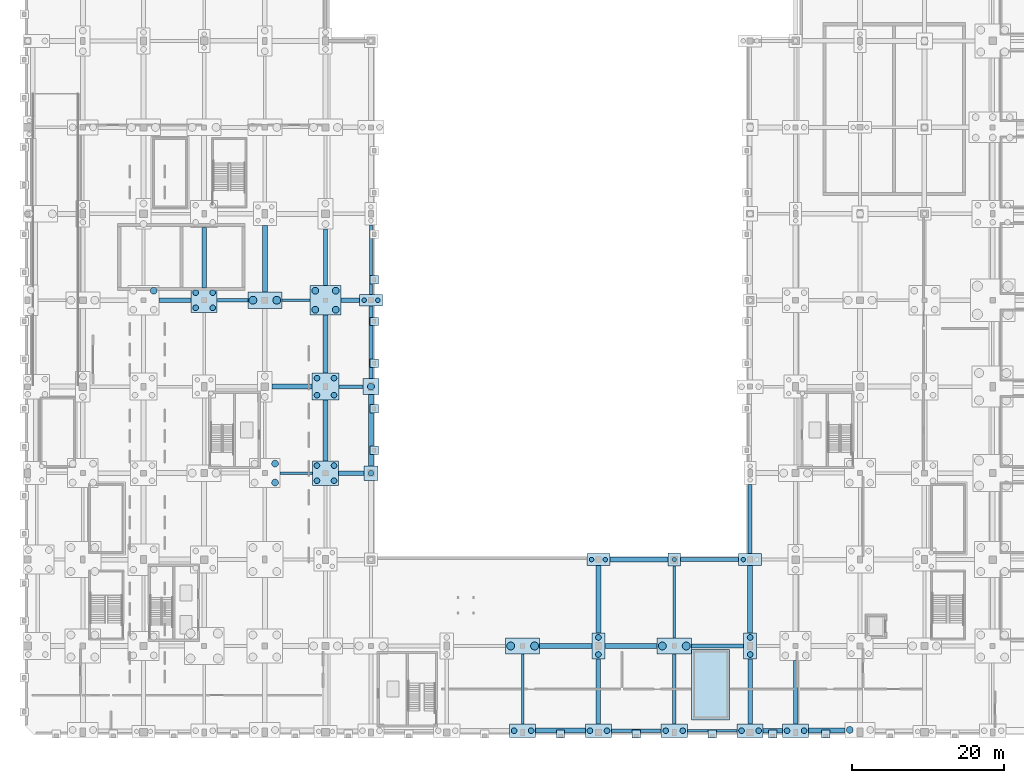
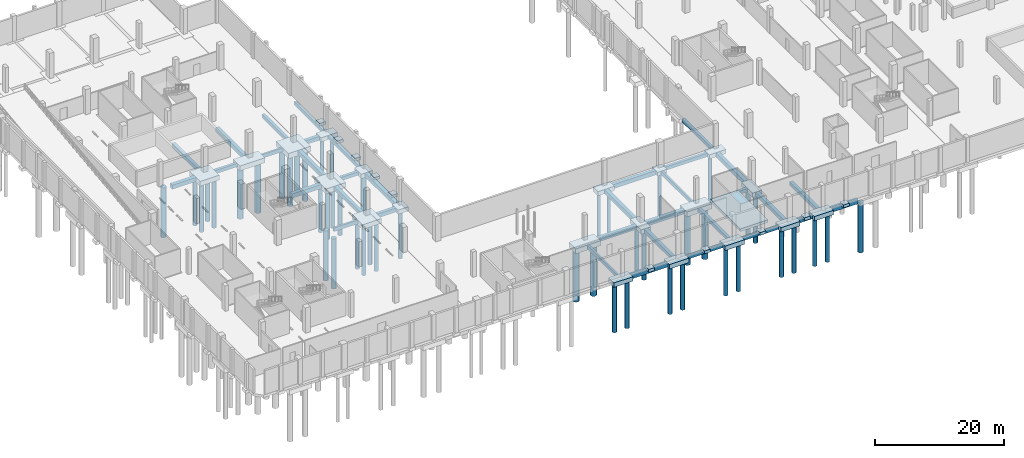
# One storey, part 3 of 34: 66 footings, 48 piles.
"""IFC4 building model written with IfcOpenShell, lengths in metres."""

from ifc_helpers import new_model, si_unit, direction, frame, origin, origin_2d, place, context, subcontext, project, spatial, rectangle, circle, extrude, material, material_profile, profile_set, type_object, element, save


model = new_model("IFC4")

# Units and contexts
model_context = context("Model", 3, precision=1e-05, world=origin(), true_north=direction((0.0, 1.0)))
body_context = subcontext(model_context, "Body", "Model", "MODEL_VIEW")
ifc_project = project(units=[si_unit("LENGTHUNIT", "METRE"), si_unit("AREAUNIT", "SQUARE_METRE"), si_unit("VOLUMEUNIT", "CUBIC_METRE"), si_unit("PLANEANGLEUNIT", "RADIAN"), si_unit("MASSUNIT", "GRAM", prefix="KILO"), si_unit("POWERUNIT", "WATT"), si_unit("THERMODYNAMICTEMPERATUREUNIT", "KELVIN")], contexts=[model_context])

# Site, building, storey
site_placement = place(None, origin())
site = spatial("IfcSite", under=ifc_project, at=site_placement, CompositionType="ELEMENT")
building_placement = place(site_placement, origin())
building = spatial("IfcBuilding", under=site, at=building_placement, Name="Kelmbourne Parkland Aquatics Centre", CompositionType="ELEMENT")
storey_placement = place(building_placement, frame((0.0, 0.0, -4.800048828125)))
storey = spatial("IfcBuildingStorey", under=building, at=storey_placement, Name="B1", CompositionType="ELEMENT", Elevation=-4.800048828125)

# Footings
ifc_material = material(Name="Waterproof concrete C50/60", Category="concrete")
footing_type_1 = type_object("IfcFootingType", Name="FT-FB1", PredefinedType="FOOTING_BEAM", material=ifc_material)
footing_1_placement = place(storey_placement, frame((81.0, 1.02490234375, -1.099853515625), z_axis=(0.0, 0.0, 1.0), x_axis=(1.0, 0.0, 0.0)))
element("IfcFooting", 1, at=footing_1_placement, inside=storey, type_object=footing_type_1, Name="Ground tie beam J-K on Grid 01", PredefinedType="FOOTING_BEAM", context=body_context, shape_type="SweptSolid", body=[
    extrude(rectangle(XDim=6.550048828125, YDim=0.5, at=origin_2d()), origin(), (0.0, 0.0, 1.0), 0.64990234375),
])
footing_2_placement = place(storey_placement, frame((91.6875, 12.199951171875, -1.099853515625), z_axis=(0.0, 0.0, 1.0), x_axis=(1.0, 0.0, 0.0)))
element("IfcFooting", 2, at=footing_2_placement, inside=storey, type_object=footing_type_1, Name="Ground tie beam K-L on Grid 03", PredefinedType="FOOTING_BEAM", context=body_context, shape_type="SweptSolid", body=[
    extrude(rectangle(XDim=6.875, YDim=0.5, at=origin_2d()), origin(), (0.0, 0.0, 1.0), 0.64990234375),
])
footing_3_placement = place(storey_placement, frame((90.675048828125, 23.60009765625, -1.099853515625), z_axis=(0.0, 0.0, 1.0), x_axis=(1.0, 0.0, 0.0)))
element("IfcFooting", 3, at=footing_3_placement, inside=storey, type_object=footing_type_1, Name="Ground tie beam K-L on Grid 04", PredefinedType="FOOTING_BEAM", context=body_context, shape_type="SweptSolid", body=[
    extrude(rectangle(XDim=7.64990234375, YDim=0.5, at=origin_2d()), origin(), (0.0, 0.0, 1.0), 0.64990234375),
])
footing_4_placement = place(storey_placement, frame((43.362548828125, 46.39990234375, -1.099853515625), z_axis=(0.0, 0.0, 1.0), x_axis=(1.0, 0.0, 0.0)))
element("IfcFooting", 4, at=footing_4_placement, inside=storey, type_object=footing_type_1, Name="Ground tie beam F-G on Grid 06", PredefinedType="FOOTING_BEAM", context=body_context, shape_type="SweptSolid", body=[
    extrude(rectangle(XDim=3.175048828125, YDim=0.5, at=origin_2d()), origin(), (0.0, 0.0, 1.0), 0.64990234375),
])
footing_5_placement = place(storey_placement, frame((27.737548828125, 57.800048828125, -1.099853515625), z_axis=(0.0, 0.0, 1.0), x_axis=(1.0, 0.0, 0.0)))
element("IfcFooting", 5, at=footing_5_placement, inside=storey, type_object=footing_type_1, Name="Ground tie beam D-E on Grid 08", PredefinedType="FOOTING_BEAM", context=body_context, shape_type="SweptSolid", body=[
    extrude(rectangle(XDim=4.02490234375, YDim=0.5, at=origin_2d()), origin(), (0.0, 0.0, 1.0), 0.64990234375),
])
footing_6_placement = place(storey_placement, frame((40.0, 63.46240234375, -1.099853515625), z_axis=(0.0, 0.0, 1.0), x_axis=(0.0, 1.0, 0.0)))
element("IfcFooting", 6, at=footing_6_placement, inside=storey, type_object=footing_type_1, Name="Ground tie beam 08-10 on Grid F", PredefinedType="FOOTING_BEAM", context=body_context, shape_type="SweptSolid", body=[
    extrude(rectangle(XDim=7.47509765625, YDim=0.5, at=origin_2d()), origin(), (0.0, 0.0, 1.0), 0.64990234375),
])
footing_7_placement = place(storey_placement, frame((46.0, 52.237548828125, -1.099853515625), z_axis=(0.0, 0.0, 1.0), x_axis=(0.0, 1.0, 0.0)))
element("IfcFooting", 7, at=footing_7_placement, inside=storey, type_object=footing_type_1, Name="Ground tie beam 06-08 on Grid G", PredefinedType="FOOTING_BEAM", context=body_context, shape_type="SweptSolid", body=[
    extrude(rectangle(XDim=9.574951171875, YDim=0.5, at=origin_2d()), origin(), (0.0, 0.0, 1.0), 0.64990234375),
])
footing_8_placement = place(storey_placement, frame((86.0, 6.512451171875, -1.099853515625), z_axis=(0.0, 0.0, 1.0), x_axis=(0.0, 1.0, 0.0)))
element("IfcFooting", 8, at=footing_8_placement, inside=storey, type_object=footing_type_1, Name="Ground tie beam 01-03 on Grid K", PredefinedType="FOOTING_BEAM", context=body_context, shape_type="SweptSolid", body=[
    extrude(rectangle(XDim=9.22509765625, YDim=0.5, at=origin_2d()), origin(), (0.0, 0.0, 1.0), 0.64990234375),
])
footing_9_placement = place(storey_placement, frame((96.0, 28.9375, -1.099853515625), z_axis=(0.0, 0.0, 1.0), x_axis=(0.0, 1.0, 0.0)))
element("IfcFooting", 9, at=footing_9_placement, inside=storey, type_object=footing_type_1, Name="Ground tie beam 04-05 on Grid L", PredefinedType="FOOTING_BEAM", context=body_context, shape_type="SweptSolid", body=[
    extrude(rectangle(XDim=9.125, YDim=0.5, at=origin_2d()), origin(), (0.0, 0.0, 1.0), 0.64990234375),
])
footing_type_2 = type_object("IfcFootingType", Name="FT-FB2", PredefinedType="FOOTING_BEAM", material=ifc_material)
footing_10_placement = place(storey_placement, frame((91.0, 1.02490234375, -1.14990234375), z_axis=(0.0, 0.0, 1.0), x_axis=(1.0, 0.0, 0.0)))
element("IfcFooting", 10, at=footing_10_placement, inside=storey, type_object=footing_type_2, Name="Ground tie beam K-L on Grid 01", PredefinedType="FOOTING_BEAM", context=body_context, shape_type="SweptSolid", body=[
    extrude(rectangle(XDim=6.550048828125, YDim=0.35009765625, at=origin_2d()), origin(), (0.0, 0.0, 1.0), 0.699951171875),
])
footing_11_placement = place(storey_placement, frame((36.14990234375, 35.0, -1.14990234375), z_axis=(0.0, 0.0, 1.0), x_axis=(1.0, 0.0, 0.0)))
element("IfcFooting", 11, at=footing_11_placement, inside=storey, type_object=footing_type_2, Name="Ground tie beam E-F on Grid 05", PredefinedType="FOOTING_BEAM", context=body_context, shape_type="SweptSolid", body=[
    extrude(rectangle(XDim=4.25, YDim=0.35009765625, at=origin_2d()), origin(), (0.0, 0.0, 1.0), 0.699951171875),
])
footing_12_placement = place(storey_placement, frame((36.112548828125, 57.800048828125, -1.14990234375), z_axis=(0.0, 0.0, 1.0), x_axis=(1.0, 0.0, 0.0)))
element("IfcFooting", 12, at=footing_12_placement, inside=storey, type_object=footing_type_2, Name="Ground tie beam E-F on Grid 08", PredefinedType="FOOTING_BEAM", context=body_context, shape_type="SweptSolid", body=[
    extrude(rectangle(XDim=3.72509765625, YDim=0.35009765625, at=origin_2d()), origin(), (0.0, 0.0, 1.0), 0.699951171875),
])
footing_13_placement = place(storey_placement, frame((46.0, 63.137451171875, -1.14990234375), z_axis=(0.0, 0.0, 1.0), x_axis=(0.0, 1.0, 0.0)))
element("IfcFooting", 13, at=footing_13_placement, inside=storey, type_object=footing_type_2, Name="Ground tie beam 08-10 on Grid G", PredefinedType="FOOTING_BEAM", context=body_context, shape_type="SweptSolid", body=[
    extrude(rectangle(XDim=9.125, YDim=0.35009765625, at=origin_2d()), origin(), (0.0, 0.0, 1.0), 0.699951171875),
])
footing_14_placement = place(storey_placement, frame((66.0, 6.512451171875, -1.14990234375), z_axis=(0.0, 0.0, 1.0), x_axis=(0.0, 1.0, 0.0)))
element("IfcFooting", 14, at=footing_14_placement, inside=storey, type_object=footing_type_2, Name="Ground tie beam 01-03 on Grid I", PredefinedType="FOOTING_BEAM", context=body_context, shape_type="SweptSolid", body=[
    extrude(rectangle(XDim=9.22509765625, YDim=0.35009765625, at=origin_2d()), origin(), (0.0, 0.0, 1.0), 0.699951171875),
])
footing_15_placement = place(storey_placement, frame((86.0, 18.012451171875, -1.14990234375), z_axis=(0.0, 0.0, 1.0), x_axis=(0.0, 1.0, 0.0)))
element("IfcFooting", 15, at=footing_15_placement, inside=storey, type_object=footing_type_2, Name="Ground tie beam 03-04 on Grid K", PredefinedType="FOOTING_BEAM", context=body_context, shape_type="SweptSolid", body=[
    extrude(rectangle(XDim=9.47509765625, YDim=0.35009765625, at=origin_2d()), origin(), (0.0, 0.0, 1.0), 0.699951171875),
])
footing_type_3 = type_object("IfcFootingType", Name="FT-FB3", PredefinedType="FOOTING_BEAM", material=ifc_material)
footing_16_placement = place(storey_placement, frame((99.0, 1.02490234375, -1.199951171875), z_axis=(0.0, 0.0, 1.0), x_axis=(1.0, 0.0, 0.0)))
element("IfcFooting", 16, at=footing_16_placement, inside=storey, type_object=footing_type_3, Name="Ground tie beam L-M on Grid 01", PredefinedType="FOOTING_BEAM", context=body_context, shape_type="SweptSolid", body=[
    extrude(rectangle(XDim=2.550048828125, YDim=0.60009765625, at=origin_2d()), origin(), (0.0, 0.0, 1.0), 0.75),
])
footing_17_placement = place(storey_placement, frame((71.6875, 12.199951171875, -1.199951171875), z_axis=(0.0, 0.0, 1.0), x_axis=(1.0, 0.0, 0.0)))
element("IfcFooting", 17, at=footing_17_placement, inside=storey, type_object=footing_type_3, Name="Ground tie beam I-J on Grid 03", PredefinedType="FOOTING_BEAM", context=body_context, shape_type="SweptSolid", body=[
    extrude(rectangle(XDim=6.875, YDim=0.60009765625, at=origin_2d()), origin(), (0.0, 0.0, 1.0), 0.75),
])
footing_18_placement = place(storey_placement, frame((43.387451171875, 35.0, -1.199951171875), z_axis=(0.0, 0.0, 1.0), x_axis=(1.0, 0.0, 0.0)))
element("IfcFooting", 18, at=footing_18_placement, inside=storey, type_object=footing_type_3, Name="Ground tie beam F-G on Grid 05", PredefinedType="FOOTING_BEAM", context=body_context, shape_type="SweptSolid", body=[
    extrude(rectangle(XDim=3.324951171875, YDim=0.60009765625, at=origin_2d()), origin(), (0.0, 0.0, 1.0), 0.75),
])
footing_19_placement = place(storey_placement, frame((43.262451171875, 57.800048828125, -1.199951171875), z_axis=(0.0, 0.0, 1.0), x_axis=(1.0, 0.0, 0.0)))
element("IfcFooting", 19, at=footing_19_placement, inside=storey, type_object=footing_type_3, Name="Ground tie beam F-G on Grid 08", PredefinedType="FOOTING_BEAM", context=body_context, shape_type="SweptSolid", body=[
    extrude(rectangle(XDim=2.47509765625, YDim=0.60009765625, at=origin_2d()), origin(), (0.0, 0.0, 1.0), 0.75),
])
for number, where, z_axis, x_axis, name in (
    (20, (24.0, 63.425048828125, -1.199951171875), (0.0, 0.0, 1.0), (0.0, 1.0, 0.0), "Ground tie beam 08-10 on Grid D"),
    (21, (40.0, 40.625, -1.199951171875), (0.0, 0.0, 1.0), (0.0, 1.0, 0.0), "Ground tie beam 05-06 on Grid F"),
):
    element("IfcFooting", number, at=place(storey_placement, frame(where, z_axis=z_axis, x_axis=x_axis)), inside=storey, type_object=footing_type_3, Name=name, PredefinedType="FOOTING_BEAM", context=body_context, shape_type="SweptSolid", body=[
        extrude(rectangle(XDim=8.0, YDim=0.60009765625, at=origin_2d()), origin(), (0.0, 0.0, 1.0), 0.75),
    ])
for number, where, z_axis, x_axis, name in (
    (22, (76.0, 6.1875, -1.199951171875), (0.0, 0.0, 1.0), (0.0, 1.0, 0.0), "Ground tie beam 01-03 on Grid J"),
    (23, (96.0, 6.1875, -1.199951171875), (0.0, 0.0, 1.0), (0.0, 1.0, 0.0), "Ground tie beam 01-03 on Grid L"),
):
    element("IfcFooting", number, at=place(storey_placement, frame(where, z_axis=z_axis, x_axis=x_axis)), inside=storey, type_object=footing_type_3, Name=name, PredefinedType="FOOTING_BEAM", context=body_context, shape_type="SweptSolid", body=[
        extrude(rectangle(XDim=8.574951171875, YDim=0.60009765625, at=origin_2d()), origin(), (0.0, 0.0, 1.0), 0.75),
    ])
footing_20_placement = place(storey_placement, frame((102.0, 6.08740234375, -1.199951171875), z_axis=(0.0, 0.0, 1.0), x_axis=(0.0, 1.0, 0.0)))
element("IfcFooting", 24, at=footing_20_placement, inside=storey, type_object=footing_type_3, Name="Ground tie beam 01-03 on Grid M", PredefinedType="FOOTING_BEAM", context=body_context, shape_type="SweptSolid", body=[
    extrude(rectangle(XDim=8.375, YDim=0.60009765625, at=origin_2d()), origin(), (0.0, 0.0, 1.0), 0.75),
])
footing_type_4 = type_object("IfcFootingType", Name="FT-FB4", PredefinedType="FOOTING_BEAM", material=ifc_material)
footing_21_placement = place(storey_placement, frame((71.0, 1.02490234375, -1.25), z_axis=(0.0, 0.0, 1.0), x_axis=(1.0, 0.0, 0.0)))
element("IfcFooting", 25, at=footing_21_placement, inside=storey, type_object=footing_type_4, Name="Ground tie beam I-J on Grid 01", PredefinedType="FOOTING_BEAM", context=body_context, shape_type="SweptSolid", body=[
    extrude(rectangle(XDim=6.550048828125, YDim=0.64990234375, at=origin_2d()), origin(), (0.0, 0.0, 1.0), 0.800048828125),
])
footing_22_placement = place(storey_placement, frame((106.112548828125, 1.074951171875, -1.25), z_axis=(0.0, 0.0, 1.0), x_axis=(1.0, 0.0, 0.0)))
element("IfcFooting", 26, at=footing_22_placement, inside=storey, type_object=footing_type_4, Name="Ground tie beam M-N on Grid 01", PredefinedType="FOOTING_BEAM", context=body_context, shape_type="SweptSolid", body=[
    extrude(rectangle(XDim=4.77490234375, YDim=0.64990234375, at=origin_2d()), origin(), (0.0, 0.0, 1.0), 0.800048828125),
])
footing_23_placement = place(storey_placement, frame((80.3125, 12.199951171875, -1.25), z_axis=(0.0, 0.0, 1.0), x_axis=(1.0, 0.0, 0.0)))
element("IfcFooting", 27, at=footing_23_placement, inside=storey, type_object=footing_type_4, Name="Ground tie beam J-K on Grid 03", PredefinedType="FOOTING_BEAM", context=body_context, shape_type="SweptSolid", body=[
    extrude(rectangle(XDim=6.875, YDim=0.64990234375, at=origin_2d()), origin(), (0.0, 0.0, 1.0), 0.800048828125),
])
footing_24_placement = place(storey_placement, frame((81.324951171875, 23.60009765625, -1.25), z_axis=(0.0, 0.0, 1.0), x_axis=(1.0, 0.0, 0.0)))
element("IfcFooting", 28, at=footing_24_placement, inside=storey, type_object=footing_type_4, Name="Ground tie beam J-K on Grid 04", PredefinedType="FOOTING_BEAM", context=body_context, shape_type="SweptSolid", body=[
    extrude(rectangle(XDim=7.64990234375, YDim=0.64990234375, at=origin_2d()), origin(), (0.0, 0.0, 1.0), 0.800048828125),
])
footing_25_placement = place(storey_placement, frame((35.60009765625, 46.39990234375, -1.25), z_axis=(0.0, 0.0, 1.0), x_axis=(1.0, 0.0, 0.0)))
element("IfcFooting", 29, at=footing_25_placement, inside=storey, type_object=footing_type_4, Name="Ground tie beam E-F on Grid 06", PredefinedType="FOOTING_BEAM", context=body_context, shape_type="SweptSolid", body=[
    extrude(rectangle(XDim=5.25, YDim=0.64990234375, at=origin_2d()), origin(), (0.0, 0.0, 1.0), 0.800048828125),
])
footing_26_placement = place(storey_placement, frame((20.14990234375, 57.800048828125, -1.25), z_axis=(0.0, 0.0, 1.0), x_axis=(1.0, 0.0, 0.0)))
element("IfcFooting", 30, at=footing_26_placement, inside=storey, type_object=footing_type_4, Name="Ground tie beam C-D on Grid 08", PredefinedType="FOOTING_BEAM", context=body_context, shape_type="SweptSolid", body=[
    extrude(rectangle(XDim=4.25, YDim=0.64990234375, at=origin_2d()), origin(), (0.0, 0.0, 1.0), 0.800048828125),
])
footing_27_placement = place(storey_placement, frame((32.0, 63.27490234375, -1.25), z_axis=(0.0, 0.0, 1.0), x_axis=(0.0, 1.0, 0.0)))
element("IfcFooting", 31, at=footing_27_placement, inside=storey, type_object=footing_type_4, Name="Ground tie beam 08-10 on Grid E", PredefinedType="FOOTING_BEAM", context=body_context, shape_type="SweptSolid", body=[
    extrude(rectangle(XDim=8.800048828125, YDim=0.64990234375, at=origin_2d()), origin(), (0.0, 0.0, 1.0), 0.800048828125),
])
footing_28_placement = place(storey_placement, frame((40.0, 52.02490234375, -1.25), z_axis=(0.0, 0.0, 1.0), x_axis=(0.0, 1.0, 0.0)))
element("IfcFooting", 32, at=footing_28_placement, inside=storey, type_object=footing_type_4, Name="Ground tie beam 06-08 on Grid F", PredefinedType="FOOTING_BEAM", context=body_context, shape_type="SweptSolid", body=[
    extrude(rectangle(XDim=7.699951171875, YDim=0.64990234375, at=origin_2d()), origin(), (0.0, 0.0, 1.0), 0.800048828125),
])
footing_29_placement = place(storey_placement, frame((46.0, 40.64990234375, -1.25), z_axis=(0.0, 0.0, 1.0), x_axis=(0.0, 1.0, 0.0)))
element("IfcFooting", 33, at=footing_29_placement, inside=storey, type_object=footing_type_4, Name="Ground tie beam 05-06 on Grid G", PredefinedType="FOOTING_BEAM", context=body_context, shape_type="SweptSolid", body=[
    extrude(rectangle(XDim=9.39990234375, YDim=0.64990234375, at=origin_2d()), origin(), (0.0, 0.0, 1.0), 0.800048828125),
])
for number, where, z_axis, x_axis, name in (
    (34, (76.0, 18.375, -1.25), (0.0, 0.0, 1.0), (0.0, 1.0, 0.0), "Ground tie beam 03-04 on Grid J"),
    (35, (96.0, 18.375, -1.25), (0.0, 0.0, 1.0), (0.0, 1.0, 0.0), "Ground tie beam 03-04 on Grid L"),
):
    element("IfcFooting", number, at=place(storey_placement, frame(where, z_axis=z_axis, x_axis=x_axis)), inside=storey, type_object=footing_type_4, Name=name, PredefinedType="FOOTING_BEAM", context=body_context, shape_type="SweptSolid", body=[
        extrude(rectangle(XDim=8.89990234375, YDim=0.64990234375, at=origin_2d()), origin(), (0.0, 0.0, 1.0), 0.800048828125),
    ])
footing_type_5 = type_object("IfcFootingType", Name="FT-PC01", PredefinedType="PILE_CAP", material=ifc_material)
footing_30_placement = place(storey_placement, frame((86.0, 23.60009765625, -1.199951171875), z_axis=(0.0, 0.0, 1.0), x_axis=(1.0, 0.0, 0.0)))
element("IfcFooting", 36, at=footing_30_placement, inside=storey, type_object=footing_type_5, Name="Bored pile cap PC-K-04", PredefinedType="PILE_CAP", context=body_context, shape_type="SweptSolid", body=[
    extrude(rectangle(XDim=1.699951171875, YDim=1.699951171875, at=origin_2d()), origin(), (0.0, 0.0, 1.0), 0.75),
])
footing_type_6 = type_object("IfcFootingType", Name="FT-PC02", PredefinedType="PILE_CAP", material=ifc_material)
footing_31_placement = place(storey_placement, frame((46.0, 35.0, -1.25), z_axis=(0.0, 0.0, 1.0), x_axis=(1.0, 0.0, 0.0)))
element("IfcFooting", 37, at=footing_31_placement, inside=storey, type_object=footing_type_6, Name="Bored pile cap PC-G-05", PredefinedType="PILE_CAP", context=body_context, shape_type="SweptSolid", body=[
    extrude(rectangle(XDim=1.89990234375, YDim=1.89990234375, at=origin_2d()), origin(), (0.0, 0.0, 1.0), 0.800048828125),
])
footing_type_7 = type_object("IfcFootingType", Name="FT-PC03", PredefinedType="PILE_CAP", material=ifc_material)
footing_32_placement = place(storey_placement, frame((46.0, 46.39990234375, -1.300048828125), z_axis=(0.0, 0.0, 1.0), x_axis=(1.0, 0.0, 0.0)))
element("IfcFooting", 38, at=footing_32_placement, inside=storey, type_object=footing_type_7, Name="Bored pile cap PC-G-06", PredefinedType="PILE_CAP", context=body_context, shape_type="SweptSolid", body=[
    extrude(rectangle(XDim=2.10009765625, YDim=2.10009765625, at=origin_2d()), origin(), (0.0, 0.0, 1.0), 0.85009765625),
])
footing_type_8 = type_object("IfcFootingType", Name="FT-PC04", PredefinedType="PILE_CAP", material=ifc_material)
for number, where, z_axis, x_axis, name in (
    (39, (46.0, 57.800048828125, -1.25), (0.0, 0.0, 1.0), (1.0, 0.0, 0.0), "Bored pile cap PC-G-08"),
    (40, (76.0, 23.60009765625, -1.25), (0.0, 0.0, 1.0), (1.0, 0.0, 0.0), "Bored pile cap PC-J-04"),
    (41, (96.0, 23.60009765625, -1.25), (0.0, 0.0, 1.0), (1.0, 0.0, 0.0), "Bored pile cap PC-L-04"),
):
    element("IfcFooting", number, at=place(storey_placement, frame(where, z_axis=z_axis, x_axis=x_axis)), inside=storey, type_object=footing_type_8, Name=name, PredefinedType="PILE_CAP", context=body_context, shape_type="SweptSolid", body=[
        extrude(rectangle(XDim=3.0, YDim=1.550048828125, at=origin_2d()), origin(), (0.0, 0.0, 1.0), 0.800048828125),
    ])
footing_type_9 = type_object("IfcFootingType", Name="FT-PC06", PredefinedType="PILE_CAP", material=ifc_material)
for number, where, z_axis, x_axis, name in (
    (42, (66.0, 1.02490234375, -1.300048828125), (0.0, 0.0, 1.0), (1.0, 0.0, 0.0), "Bored pile cap PC-I-01"),
    (43, (76.0, 1.02490234375, -1.300048828125), (0.0, 0.0, 1.0), (1.0, 0.0, 0.0), "Bored pile cap PC-J-01"),
    (44, (86.0, 1.02490234375, -1.300048828125), (0.0, 0.0, 1.0), (1.0, 0.0, 0.0), "Bored pile cap PC-K-01"),
    (45, (96.0, 1.02490234375, -1.300048828125), (0.0, 0.0, 1.0), (1.0, 0.0, 0.0), "Bored pile cap PC-L-01"),
    (46, (102.0, 1.02490234375, -1.300048828125), (0.0, 0.0, 1.0), (1.0, 0.0, 0.0), "Bored pile cap PC-M-01"),
):
    element("IfcFooting", number, at=place(storey_placement, frame(where, z_axis=z_axis, x_axis=x_axis)), inside=storey, type_object=footing_type_9, Name=name, PredefinedType="PILE_CAP", context=body_context, shape_type="SweptSolid", body=[
        extrude(rectangle(XDim=3.449951171875, YDim=1.75, at=origin_2d()), origin(), (0.0, 0.0, 1.0), 0.85009765625),
    ])
footing_type_10 = type_object("IfcFootingType", Name="FT-PC07", PredefinedType="PILE_CAP", material=ifc_material)
for number, where, z_axis, x_axis, name in (
    (47, (76.0, 12.199951171875, -1.300048828125), (0.0, 0.0, 1.0), (1.0, 0.0, 0.0), "Bored pile cap PC-J-03"),
    (48, (96.0, 12.199951171875, -1.300048828125), (0.0, 0.0, 1.0), (1.0, 0.0, 0.0), "Bored pile cap PC-L-03"),
):
    element("IfcFooting", number, at=place(storey_placement, frame(where, z_axis=z_axis, x_axis=x_axis)), inside=storey, type_object=footing_type_10, Name=name, PredefinedType="PILE_CAP", context=body_context, shape_type="SweptSolid", body=[
        extrude(rectangle(XDim=1.75, YDim=3.449951171875, at=origin_2d()), origin(), (0.0, 0.0, 1.0), 0.85009765625),
    ])
footing_type_11 = type_object("IfcFootingType", Name="FT-PC10", PredefinedType="PILE_CAP", material=ifc_material)
for number, where, z_axis, x_axis, name in (
    (49, (32.0, 57.800048828125, -1.39990234375), (0.0, 0.0, 1.0), (1.0, 0.0, 0.0), "Bored pile cap PC-E-08"),
    (50, (66.0, 12.199951171875, -1.39990234375), (0.0, 0.0, 1.0), (1.0, 0.0, 0.0), "Bored pile cap PC-I-03"),
    (51, (86.0, 12.199951171875, -1.39990234375), (0.0, 0.0, 1.0), (1.0, 0.0, 0.0), "Bored pile cap PC-K-03"),
):
    element("IfcFooting", number, at=place(storey_placement, frame(where, z_axis=z_axis, x_axis=x_axis)), inside=storey, type_object=footing_type_11, Name=name, PredefinedType="PILE_CAP", context=body_context, shape_type="SweptSolid", body=[
        extrude(rectangle(XDim=4.5, YDim=2.14990234375, at=origin_2d()), origin(), (0.0, 0.0, 1.0), 0.949951171875),
    ])
footing_type_12 = type_object("IfcFootingType", Name="FT-PC12", PredefinedType="PILE_CAP", material=ifc_material)
for number, where, z_axis, x_axis, name in (
    (52, (24.0, 57.800048828125, -1.349853515625), (0.0, 0.0, 1.0), (1.0, 0.0, 0.0), "Bored pile cap PC-D-08"),
    (53, (40.0, 35.0, -1.349853515625), (0.0, 0.0, 1.0), (1.0, 0.0, 0.0), "Bored pile cap PC-F-05"),
):
    element("IfcFooting", number, at=place(storey_placement, frame(where, z_axis=z_axis, x_axis=x_axis)), inside=storey, type_object=footing_type_12, Name=name, PredefinedType="PILE_CAP", context=body_context, shape_type="SweptSolid", body=[
        extrude(rectangle(XDim=3.449951171875, YDim=3.25, at=origin_2d()), origin(), (0.0, 0.0, 1.0), 0.89990234375),
    ])
footing_type_13 = type_object("IfcFootingType", Name="FT-PC13", PredefinedType="PILE_CAP", material=ifc_material)
footing_33_placement = place(storey_placement, frame((40.0, 46.39990234375, -1.39990234375), z_axis=(0.0, 0.0, 1.0), x_axis=(1.0, 0.0, 0.0)))
element("IfcFooting", 54, at=footing_33_placement, inside=storey, type_object=footing_type_13, Name="Bored pile cap PC-F-06", PredefinedType="PILE_CAP", context=body_context, shape_type="SweptSolid", body=[
    extrude(rectangle(XDim=3.550048828125, YDim=3.550048828125, at=origin_2d()), origin(), (0.0, 0.0, 1.0), 0.949951171875),
])
footing_type_14 = type_object("IfcFootingType", Name="FT-PC14", PredefinedType="PILE_CAP", material=ifc_material)
footing_34_placement = place(storey_placement, frame((40.0, 57.800048828125, -1.449951171875), z_axis=(0.0, 0.0, 1.0), x_axis=(1.0, 0.0, 0.0)))
element("IfcFooting", 55, at=footing_34_placement, inside=storey, type_object=footing_type_14, Name="Bored pile cap PC-F-08", PredefinedType="PILE_CAP", context=body_context, shape_type="SweptSolid", body=[
    extrude(rectangle(XDim=4.050048828125, YDim=3.85009765625, at=origin_2d()), origin(), (0.0, 0.0, 1.0), 1.0),
])
footing_type_15 = type_object("IfcFootingType", Name="FT-SF1", PredefinedType="STRIP_FOOTING", material=ifc_material)
for number, where, z_axis, x_axis, name in (
    (56, (71.0, 0.60009765625, -0.5498046875), (0.0, 0.0, 1.0), (1.0, 0.0, 0.0), "Brick buttress footing S-027"),
    (57, (81.0, 0.60009765625, -0.5498046875), (0.0, 0.0, 1.0), (1.0, 0.0, 0.0), "Brick buttress footing S-028"),
    (58, (91.0, 0.60009765625, -0.5498046875), (0.0, 0.0, 1.0), (1.0, 0.0, 0.0), "Brick buttress footing S-029"),
    (59, (99.0, 0.60009765625, -0.5498046875), (0.0, 0.0, 1.0), (1.0, 0.0, 0.0), "Brick buttress footing S-030"),
    (60, (106.0, 0.60009765625, -0.5498046875), (0.0, 0.0, 1.0), (1.0, 0.0, 0.0), "Brick buttress footing S-031"),
    (61, (46.449951171875, 38.0, -0.5498046875), (0.0, 0.0, 1.0), (1.0, 0.0, 0.0), "Brick buttress footing CW-034"),
    (62, (46.449951171875, 43.5, -0.5498046875), (0.0, 0.0, 1.0), (1.0, 0.0, 0.0), "Brick buttress footing CW-035"),
    (63, (46.449951171875, 49.5, -0.5498046875), (0.0, 0.0, 1.0), (1.0, 0.0, 0.0), "Brick buttress footing CW-036"),
    (64, (46.449951171875, 55.0, -0.5498046875), (0.0, 0.0, 1.0), (1.0, 0.0, 0.0), "Brick buttress footing CW-037"),
    (65, (46.449951171875, 60.5, -0.5498046875), (0.0, 0.0, 1.0), (1.0, 0.0, 0.0), "Brick buttress footing CW-038"),
):
    element("IfcFooting", number, at=place(storey_placement, frame(where, z_axis=z_axis, x_axis=x_axis)), inside=storey, type_object=footing_type_15, Name=name, PredefinedType="STRIP_FOOTING", context=body_context, shape_type="SweptSolid", body=[
        extrude(rectangle(XDim=1.10009765625, YDim=1.10009765625, at=origin_2d()), origin(), (0.0, 0.0, 1.0), 0.550048828125),
    ])
footing_35_placement = place(storey_placement, frame((90.800048828125, 7.10009765625, -0.5), z_axis=(0.0, 0.0, 1.0), x_axis=(1.0, 0.0, 0.0)))
element("IfcFooting", 66, at=footing_35_placement, inside=storey, type_object=footing_type_15, Name="Foyer East Gallery Exit Stair foundation pad", PredefinedType="STRIP_FOOTING", context=body_context, shape_type="SweptSolid", body=[
    extrude(rectangle(XDim=5.0, YDim=9.300048828125, at=origin_2d()), origin(), (0.0, 0.0, 1.0), 0.5),
])

# Piles
ifc_material_profile_1 = material_profile(ifc_material, circle(Radius=0.52490234375, at=origin_2d()), Name="PILE D1050")
ifc_profile_set_1 = profile_set([ifc_material_profile_1], Name="Waterproof concrete C50/60")
pile_type_1 = type_object("IfcPileType", Name="PL-1050", PredefinedType="BORED", material=ifc_profile_set_1)
for number, where, z_axis, x_axis, name in (
    (67, (30.425048828125, 57.800048828125, -1.300048828125), (0.0, 0.0, -1.0), (1.0, 0.0, 0.0), "Rock-socketed bored pile E-08-1"),
    (68, (33.574951171875, 57.800048828125, -1.300048828125), (0.0, 0.0, -1.0), (1.0, 0.0, 0.0), "Rock-socketed bored pile E-08-2"),
    (69, (64.425048828125, 12.199951171875, -1.300048828125), (0.0, 0.0, -1.0), (1.0, 0.0, 0.0), "Rock-socketed bored pile I-03-1"),
    (70, (67.574951171875, 12.199951171875, -1.300048828125), (0.0, 0.0, -1.0), (1.0, 0.0, 0.0), "Rock-socketed bored pile I-03-2"),
    (71, (84.425048828125, 12.199951171875, -1.300048828125), (0.0, 0.0, -1.0), (1.0, 0.0, 0.0), "Rock-socketed bored pile K-03-1"),
    (72, (87.574951171875, 12.199951171875, -1.300048828125), (0.0, 0.0, -1.0), (1.0, 0.0, 0.0), "Rock-socketed bored pile K-03-2"),
):
    element("IfcPile", number, at=place(storey_placement, frame(where, z_axis=z_axis, x_axis=x_axis)), inside=storey, type_object=pile_type_1, Name=name, PredefinedType="BORED", context=body_context, shape_type="SweptSolid", body=[
        extrude(circle(Radius=0.52490234375, at=origin_2d()), origin(), (0.0, 0.0, 1.0), 9.800048828125),
    ])
ifc_material_profile_2 = material_profile(ifc_material, circle(Radius=0.300048828125, at=origin_2d()), Name="PILE D600")
ifc_profile_set_2 = profile_set([ifc_material_profile_2], Name="Waterproof concrete C50/60")
pile_type_2 = type_object("IfcPileType", Name="PL-600", PredefinedType="BORED", material=ifc_profile_set_2)
for number, where, z_axis, x_axis, name in (
    (73, (45.10009765625, 57.800048828125, -1.14990234375), (0.0, 0.0, -1.0), (1.0, 0.0, 0.0), "Rock-socketed bored pile G-08-1"),
    (74, (46.89990234375, 57.800048828125, -1.14990234375), (0.0, 0.0, -1.0), (1.0, 0.0, 0.0), "Rock-socketed bored pile G-08-2"),
    (75, (75.10009765625, 23.60009765625, -1.14990234375), (0.0, 0.0, -1.0), (1.0, 0.0, 0.0), "Rock-socketed bored pile J-04-1"),
    (76, (76.89990234375, 23.60009765625, -1.14990234375), (0.0, 0.0, -1.0), (1.0, 0.0, 0.0), "Rock-socketed bored pile J-04-2"),
    (77, (86.0, 23.60009765625, -1.099853515625), (0.0, 0.0, -1.0), (1.0, 0.0, 0.0), "Rock-socketed bored pile K-04-1"),
    (78, (95.10009765625, 23.60009765625, -1.14990234375), (0.0, 0.0, -1.0), (1.0, 0.0, 0.0), "Rock-socketed bored pile L-04-1"),
):
    element("IfcPile", number, at=place(storey_placement, frame(where, z_axis=z_axis, x_axis=x_axis)), inside=storey, type_object=pile_type_2, Name=name, PredefinedType="BORED", context=body_context, shape_type="SweptSolid", body=[
        extrude(circle(Radius=0.300048828125, at=origin_2d()), origin(), (0.0, 0.0, 1.0), 8.800048828125),
    ])
ifc_material_profile_3 = material_profile(ifc_material, circle(Radius=0.375, at=origin_2d()), Name="PILE D750")
ifc_profile_set_3 = profile_set([ifc_material_profile_3], Name="Waterproof concrete C50/60")
pile_type_3 = type_object("IfcPileType", Name="PL-750", PredefinedType="BORED", material=ifc_profile_set_3)
for number, where, z_axis, x_axis, name in (
    (79, (22.875, 56.800048828125, -1.25), (0.0, 0.0, -1.0), (1.0, 0.0, 0.0), "Rock-socketed bored pile D-08-1"),
    (80, (25.125, 56.800048828125, -1.25), (0.0, 0.0, -1.0), (1.0, 0.0, 0.0), "Rock-socketed bored pile D-08-2"),
    (81, (22.875, 58.800048828125, -1.25), (0.0, 0.0, -1.0), (1.0, 0.0, 0.0), "Rock-socketed bored pile D-08-3"),
    (82, (25.125, 58.800048828125, -1.25), (0.0, 0.0, -1.0), (1.0, 0.0, 0.0), "Rock-socketed bored pile D-08-4"),
    (83, (38.875, 34.0, -1.25), (0.0, 0.0, -1.0), (1.0, 0.0, 0.0), "Rock-socketed bored pile F-05-1"),
    (84, (41.125, 34.0, -1.25), (0.0, 0.0, -1.0), (1.0, 0.0, 0.0), "Rock-socketed bored pile F-05-2"),
    (85, (38.875, 36.0, -1.25), (0.0, 0.0, -1.0), (1.0, 0.0, 0.0), "Rock-socketed bored pile F-05-3"),
    (86, (41.125, 36.0, -1.25), (0.0, 0.0, -1.0), (1.0, 0.0, 0.0), "Rock-socketed bored pile F-05-4"),
    (87, (38.875, 45.27490234375, -1.300048828125), (0.0, 0.0, -1.0), (1.0, 0.0, 0.0), "Rock-socketed bored pile F-06-1"),
    (88, (41.125, 45.27490234375, -1.300048828125), (0.0, 0.0, -1.0), (1.0, 0.0, 0.0), "Rock-socketed bored pile F-06-2"),
    (89, (38.875, 47.52490234375, -1.300048828125), (0.0, 0.0, -1.0), (1.0, 0.0, 0.0), "Rock-socketed bored pile F-06-3"),
    (90, (41.125, 47.52490234375, -1.300048828125), (0.0, 0.0, -1.0), (1.0, 0.0, 0.0), "Rock-socketed bored pile F-06-4"),
    (91, (46.0, 35.0, -1.14990234375), (0.0, 0.0, -1.0), (1.0, 0.0, 0.0), "Rock-socketed bored pile G-05-1"),
    (92, (64.875, 1.02490234375, -1.199951171875), (0.0, 0.0, -1.0), (1.0, 0.0, 0.0), "Rock-socketed bored pile I-01-1"),
    (93, (67.125, 1.02490234375, -1.199951171875), (0.0, 0.0, -1.0), (1.0, 0.0, 0.0), "Rock-socketed bored pile I-01-2"),
    (94, (74.875, 1.02490234375, -1.199951171875), (0.0, 0.0, -1.0), (1.0, 0.0, 0.0), "Rock-socketed bored pile J-01-1"),
    (95, (77.125, 1.02490234375, -1.199951171875), (0.0, 0.0, -1.0), (1.0, 0.0, 0.0), "Rock-socketed bored pile J-01-2"),
    (96, (76.0, 11.074951171875, -1.199951171875), (0.0, 0.0, -1.0), (1.0, 0.0, 0.0), "Rock-socketed bored pile J-03-1"),
    (97, (76.0, 13.324951171875, -1.199951171875), (0.0, 0.0, -1.0), (1.0, 0.0, 0.0), "Rock-socketed bored pile J-03-2"),
    (98, (84.875, 1.02490234375, -1.199951171875), (0.0, 0.0, -1.0), (1.0, 0.0, 0.0), "Rock-socketed bored pile K-01-1"),
    (99, (87.125, 1.02490234375, -1.199951171875), (0.0, 0.0, -1.0), (1.0, 0.0, 0.0), "Rock-socketed bored pile K-01-2"),
    (100, (94.875, 1.02490234375, -1.199951171875), (0.0, 0.0, -1.0), (1.0, 0.0, 0.0), "Rock-socketed bored pile L-01-1"),
    (101, (97.125, 1.02490234375, -1.199951171875), (0.0, 0.0, -1.0), (1.0, 0.0, 0.0), "Rock-socketed bored pile L-01-2"),
    (102, (96.0, 11.074951171875, -1.199951171875), (0.0, 0.0, -1.0), (1.0, 0.0, 0.0), "Rock-socketed bored pile L-03-1"),
    (103, (96.0, 13.324951171875, -1.199951171875), (0.0, 0.0, -1.0), (1.0, 0.0, 0.0), "Rock-socketed bored pile L-03-2"),
    (104, (100.875, 1.02490234375, -1.199951171875), (0.0, 0.0, -1.0), (1.0, 0.0, 0.0), "Rock-socketed bored pile M-01-1"),
    (105, (103.125, 1.02490234375, -1.199951171875), (0.0, 0.0, -1.0), (1.0, 0.0, 0.0), "Rock-socketed bored pile M-01-2"),
):
    element("IfcPile", number, at=place(storey_placement, frame(where, z_axis=z_axis, x_axis=x_axis)), inside=storey, type_object=pile_type_3, Name=name, PredefinedType="BORED", context=body_context, shape_type="SweptSolid", body=[
        extrude(circle(Radius=0.375, at=origin_2d()), origin(), (0.0, 0.0, 1.0), 9.199951171875),
    ])
ifc_material_profile_4 = material_profile(ifc_material, circle(Radius=0.449951171875, at=origin_2d()), Name="PILE D900")
ifc_profile_set_4 = profile_set([ifc_material_profile_4], Name="Waterproof concrete C50/60")
pile_type_4 = type_object("IfcPileType", Name="PL-900", PredefinedType="BORED", material=ifc_profile_set_4)
for number, where, z_axis, x_axis, name in (
    (106, (17.35009765625, 59.050048828125, -1.349853515625), (0.0, 0.0, -1.0), (1.0, 0.0, 0.0), "Rock-socketed bored pile C-08-4"),
    (107, (33.35009765625, 33.75, -1.349853515625), (0.0, 0.0, -1.0), (1.0, 0.0, 0.0), "Rock-socketed bored pile E-05-2"),
    (108, (33.35009765625, 36.25, -1.349853515625), (0.0, 0.0, -1.0), (1.0, 0.0, 0.0), "Rock-socketed bored pile E-05-4"),
    (109, (38.64990234375, 56.550048828125, -1.349853515625), (0.0, 0.0, -1.0), (1.0, 0.0, 0.0), "Rock-socketed bored pile F-08-1"),
    (110, (41.35009765625, 56.550048828125, -1.349853515625), (0.0, 0.0, -1.0), (1.0, 0.0, 0.0), "Rock-socketed bored pile F-08-2"),
    (111, (38.64990234375, 59.050048828125, -1.349853515625), (0.0, 0.0, -1.0), (1.0, 0.0, 0.0), "Rock-socketed bored pile F-08-3"),
    (112, (41.35009765625, 59.050048828125, -1.349853515625), (0.0, 0.0, -1.0), (1.0, 0.0, 0.0), "Rock-socketed bored pile F-08-4"),
    (113, (46.0, 46.39990234375, -1.199951171875), (0.0, 0.0, -1.0), (1.0, 0.0, 0.0), "Rock-socketed bored pile G-06-1"),
    (114, (109.14990234375, 1.125, -1.25), (0.0, 0.0, -1.0), (1.0, 0.0, 0.0), "Rock-socketed bored pile N-01-1"),
):
    element("IfcPile", number, at=place(storey_placement, frame(where, z_axis=z_axis, x_axis=x_axis)), inside=storey, type_object=pile_type_4, Name=name, PredefinedType="BORED", context=body_context, shape_type="SweptSolid", body=[
        extrude(circle(Radius=0.449951171875, at=origin_2d()), origin(), (0.0, 0.0, 1.0), 9.5),
    ])

save(model, "model.ifc")
